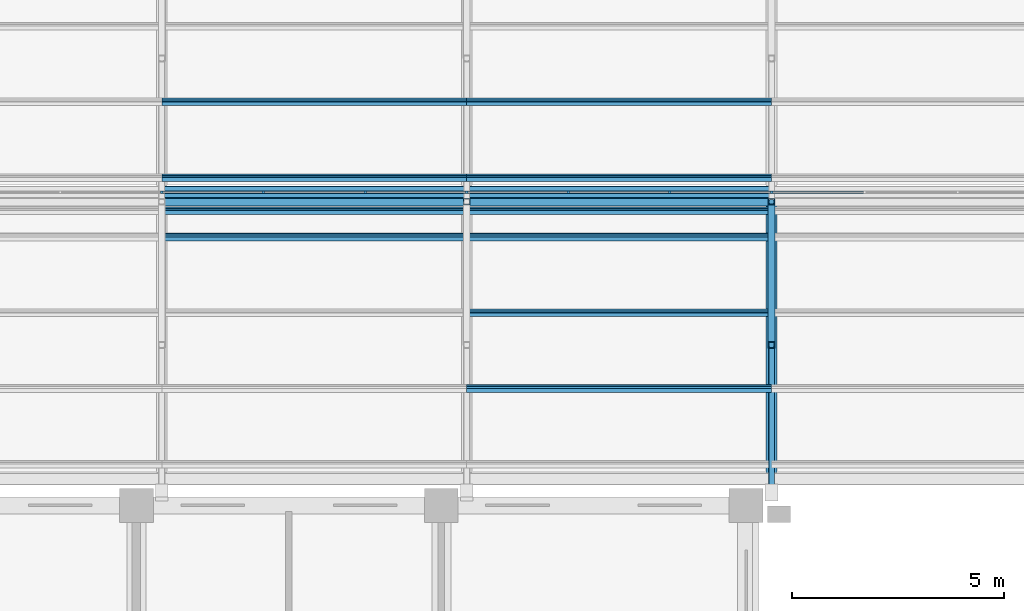
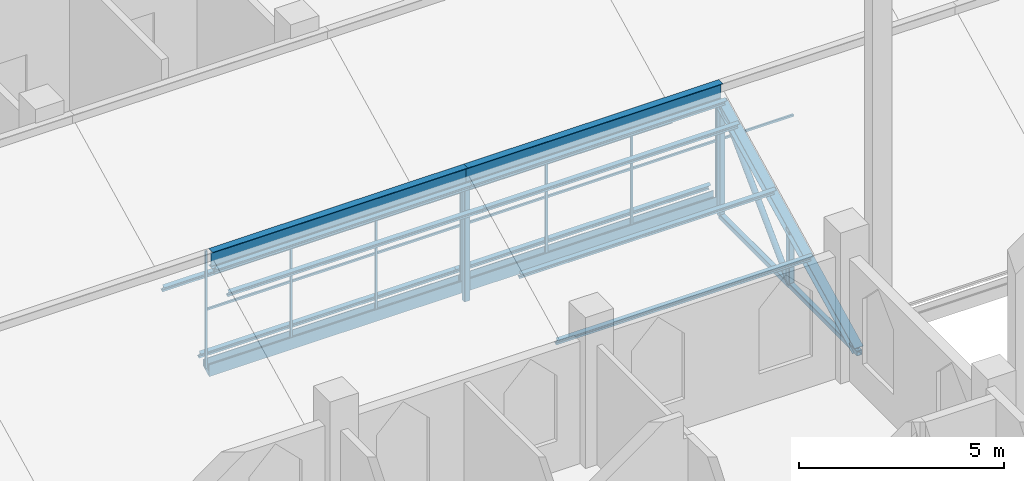
# One storey, part 6 of 29: 34 members, 3 elements without a shape of their own.
"""IFC4 building model written with IfcOpenShell, lengths in metres."""

from ifc_helpers import new_model, si_unit, direction, frame, origin, origin_2d, place, context, subcontext, project, spatial, polyline, rectangle, hollow_rectangle, hollow_circle, i_section, outline, extrude, material, material_profile, profile_set, type_object, element, aggregate, save


model = new_model("IFC4")

# Units and contexts
model_context = context("Model", 3, precision=1e-05, world=origin(), true_north=direction((0.0, 1.0)))
body_context = subcontext(model_context, "Body", "Model", "MODEL_VIEW")
ifc_project = project(units=[si_unit("LENGTHUNIT", "METRE"), si_unit("AREAUNIT", "SQUARE_METRE"), si_unit("VOLUMEUNIT", "CUBIC_METRE"), si_unit("PLANEANGLEUNIT", "RADIAN"), si_unit("MASSUNIT", "GRAM", prefix="KILO")], contexts=[model_context])

# Site, building, storey
site_placement = place(None, origin())
site = spatial("IfcSite", under=ifc_project, at=site_placement, CompositionType="ELEMENT")
building_placement = place(site_placement, origin())
building = spatial("IfcBuilding", under=site, at=building_placement, Name="Silangan Lancet Faculty of Sciences", CompositionType="ELEMENT")
storey_placement = place(building_placement, frame((0.0, 0.0, 40.800048828125)))
storey = spatial("IfcBuildingStorey", under=building, at=storey_placement, Name="L08", CompositionType="ELEMENT", Elevation=40.800048828125)

# Members
ifc_material_1 = material(Name="Steel SS400", Category="steel")
ifc_material_profile_1 = material_profile(ifc_material_1, i_section(OverallWidth=0.199951171875, OverallDepth=0.5, WebThickness=0.010009765625, FlangeThickness=0.01611328125, FilletRadius=0.02001953125, at=origin_2d()), Name="H 500x200x10x16")
ifc_profile_set_1 = profile_set([ifc_material_profile_1], Name="Steel SS400")
member_type_1 = type_object("IfcMemberType", Name="Exposed ridge beam H 500x200x10x16", PredefinedType="MEMBER", material=ifc_profile_set_1)
for number, where, z_axis, x_axis, name in (
    (1, (15.0, 28.77001953125, 3.836669921875), (1.0, 0.0, 0.0), (0.0, 1.0, 0.0), "Exposed ridge beam ATRIUM-1-3"),
    (2, (22.199951171875, 28.77001953125, 3.836669921875), (1.0, 0.0, 0.0), (0.0, 1.0, 0.0), "Exposed ridge beam ATRIUM-1-4"),
):
    element("IfcMember", number, at=place(storey_placement, frame(where, z_axis=z_axis, x_axis=x_axis)), inside=storey, type_object=member_type_1, Name=name, PredefinedType="MEMBER", context=body_context, shape_type="SweptSolid", body=[
        extrude(i_section(OverallWidth=0.199951171875, OverallDepth=0.5, WebThickness=0.010009765625, FlangeThickness=0.01611328125, FilletRadius=0.02001953125, at=origin_2d()), origin(), (0.0, 0.0, 1.0), 7.199951171875),
    ])

# Curtain wall, members
ifc_material_2 = material(Name="Aluminium and laminated glass", Category="aluminium")
curtain_wall_type = type_object("IfcCurtainWallType", Name="North light glazing system", PredefinedType="NOTDEFINED", material=ifc_material_2)
curtain_wall_1_placement = place(storey_placement, origin())
curtain_wall_1 = element("IfcCurtainWall", 3, at=curtain_wall_1_placement, inside=storey, type_object=curtain_wall_type, Name="North light glazing ATRIUM-1-3", PredefinedType="NOTDEFINED")
ifc_material_3 = material(Name="Aluminium 6063-T6", Category="aluminium")
ifc_material_profile_2 = material_profile(ifc_material_3, rectangle(XDim=0.06005859375, YDim=0.050048828125, at=origin_2d()), Name="AL 60x50")
ifc_profile_set_2 = profile_set([ifc_material_profile_2], Name="Aluminium 6063-T6")
member_type_2 = type_object("IfcMemberType", Name="North light mullion 60x50", PredefinedType="MULLION", material=ifc_profile_set_2)
member_1_placement = place(storey_placement, frame((15.0, 28.9951171875, 0.442138671875), z_axis=(0.0, 0.0, 1.0), x_axis=(1.0, 0.0, 0.0)))
member_1 = element("IfcMember", 4, at=member_1_placement, type_object=member_type_2, Name="North light mullion ATRIUM-1-3 1", PredefinedType="MULLION", context=body_context, shape_type="SweptSolid", body=[
    extrude(rectangle(XDim=0.06005859375, YDim=0.050048828125, at=origin_2d()), origin(), (0.0, 0.0, 1.0), 3.502197265625),
])
member_2_placement = place(storey_placement, frame((17.39990234375, 28.9951171875, 0.442138671875), z_axis=(0.0, 0.0, 1.0), x_axis=(1.0, 0.0, 0.0)))
member_2 = element("IfcMember", 5, at=member_2_placement, type_object=member_type_2, Name="North light mullion ATRIUM-1-3 2", PredefinedType="MULLION", context=body_context, shape_type="SweptSolid", body=[
    extrude(rectangle(XDim=0.06005859375, YDim=0.050048828125, at=origin_2d()), origin(), (0.0, 0.0, 1.0), 3.502197265625),
])
member_3_placement = place(storey_placement, frame((19.800048828125, 28.9951171875, 0.442138671875), z_axis=(0.0, 0.0, 1.0), x_axis=(1.0, 0.0, 0.0)))
member_3 = element("IfcMember", 6, at=member_3_placement, type_object=member_type_2, Name="North light mullion ATRIUM-1-3 3", PredefinedType="MULLION", context=body_context, shape_type="SweptSolid", body=[
    extrude(rectangle(XDim=0.06005859375, YDim=0.050048828125, at=origin_2d()), origin(), (0.0, 0.0, 1.0), 3.502197265625),
])

curtain_wall_2_placement = place(storey_placement, origin())
curtain_wall_2 = element("IfcCurtainWall", 7, at=curtain_wall_2_placement, inside=storey, type_object=curtain_wall_type, Name="North light glazing ATRIUM-1-4", PredefinedType="NOTDEFINED")
member_4_placement = place(storey_placement, frame((22.199951171875, 28.9951171875, 0.442138671875), z_axis=(0.0, 0.0, 1.0), x_axis=(1.0, 0.0, 0.0)))
member_4 = element("IfcMember", 8, at=member_4_placement, type_object=member_type_2, Name="North light mullion ATRIUM-1-4 1", PredefinedType="MULLION", context=body_context, shape_type="SweptSolid", body=[
    extrude(rectangle(XDim=0.06005859375, YDim=0.050048828125, at=origin_2d()), origin(), (0.0, 0.0, 1.0), 3.502197265625),
])
member_5_placement = place(storey_placement, frame((24.60009765625, 28.9951171875, 0.442138671875), z_axis=(0.0, 0.0, 1.0), x_axis=(1.0, 0.0, 0.0)))
member_5 = element("IfcMember", 9, at=member_5_placement, type_object=member_type_2, Name="North light mullion ATRIUM-1-4 2", PredefinedType="MULLION", context=body_context, shape_type="SweptSolid", body=[
    extrude(rectangle(XDim=0.06005859375, YDim=0.050048828125, at=origin_2d()), origin(), (0.0, 0.0, 1.0), 3.502197265625),
])
member_6_placement = place(storey_placement, frame((27.0, 28.9951171875, 0.442138671875), z_axis=(0.0, 0.0, 1.0), x_axis=(1.0, 0.0, 0.0)))
member_6 = element("IfcMember", 10, at=member_6_placement, type_object=member_type_2, Name="North light mullion ATRIUM-1-4 3", PredefinedType="MULLION", context=body_context, shape_type="SweptSolid", body=[
    extrude(rectangle(XDim=0.06005859375, YDim=0.050048828125, at=origin_2d()), origin(), (0.0, 0.0, 1.0), 3.502197265625),
])

# Curtain wall, member
curtain_wall_3_placement = place(storey_placement, origin())
curtain_wall_3 = element("IfcCurtainWall", 11, at=curtain_wall_3_placement, inside=storey, type_object=curtain_wall_type, Name="North light glazing ATRIUM-1-5", PredefinedType="NOTDEFINED")
member_7_placement = place(storey_placement, frame((29.39990234375, 28.9951171875, 0.442138671875), z_axis=(0.0, 0.0, 1.0), x_axis=(1.0, 0.0, 0.0)))
member_7 = element("IfcMember", 12, at=member_7_placement, type_object=member_type_2, Name="North light mullion ATRIUM-1-5 1", PredefinedType="MULLION", context=body_context, shape_type="SweptSolid", body=[
    extrude(rectangle(XDim=0.06005859375, YDim=0.050048828125, at=origin_2d()), origin(), (0.0, 0.0, 1.0), 3.502197265625),
])

# Member
ifc_material_4 = material(Name="Aluminium 6063-T6", Category="aluminium")
ifc_material_profile_3 = material_profile(ifc_material_4, rectangle(XDim=0.050048828125, YDim=0.06005859375, at=origin_2d()), Name="AL 50x60")
ifc_profile_set_3 = profile_set([ifc_material_profile_3], Name="Aluminium 6063-T6")
member_type_3 = type_object("IfcMemberType", Name="North light transom 50x60", PredefinedType="USERDEFINED", material=ifc_profile_set_3)
member_8_placement = place(storey_placement, frame((15.030029296875, 28.9951171875, 2.193359375), z_axis=(1.0, 0.0, 0.0), x_axis=(0.0, 1.0, 0.0)))
member_8 = element("IfcMember", 13, at=member_8_placement, type_object=member_type_3, Name="North light transom ATRIUM-1-3 1", ObjectType="TRANSOM", PredefinedType="USERDEFINED", context=body_context, shape_type="SweptSolid", body=[
    extrude(rectangle(XDim=0.050048828125, YDim=0.06005859375, at=origin_2d()), origin(), (0.0, 0.0, 1.0), 2.340087890625),
])

member_9_placement = place(storey_placement, frame((17.429931640625, 28.9951171875, 2.193359375), z_axis=(1.0, 0.0, 0.0), x_axis=(0.0, 1.0, 0.0)))
member_9 = element("IfcMember", 14, at=member_9_placement, type_object=member_type_3, Name="North light transom ATRIUM-1-3 2", ObjectType="TRANSOM", PredefinedType="USERDEFINED", context=body_context, shape_type="SweptSolid", body=[
    extrude(rectangle(XDim=0.050048828125, YDim=0.06005859375, at=origin_2d()), origin(), (0.0, 0.0, 1.0), 2.340087890625),
])

member_10_placement = place(storey_placement, frame((19.830078125, 28.9951171875, 2.193359375), z_axis=(1.0, 0.0, 0.0), x_axis=(0.0, 1.0, 0.0)))
member_10 = element("IfcMember", 15, at=member_10_placement, type_object=member_type_3, Name="North light transom ATRIUM-1-3 3", ObjectType="TRANSOM", PredefinedType="USERDEFINED", context=body_context, shape_type="SweptSolid", body=[
    extrude(rectangle(XDim=0.050048828125, YDim=0.06005859375, at=origin_2d()), origin(), (0.0, 0.0, 1.0), 2.33984375),
])

aggregate(curtain_wall_1, [member_1, member_2, member_3, member_8, member_9, member_10])

member_11_placement = place(storey_placement, frame((22.22998046875, 28.9951171875, 2.193359375), z_axis=(1.0, 0.0, 0.0), x_axis=(0.0, 1.0, 0.0)))
member_11 = element("IfcMember", 16, at=member_11_placement, type_object=member_type_3, Name="North light transom ATRIUM-1-4 1", ObjectType="TRANSOM", PredefinedType="USERDEFINED", context=body_context, shape_type="SweptSolid", body=[
    extrude(rectangle(XDim=0.050048828125, YDim=0.06005859375, at=origin_2d()), origin(), (0.0, 0.0, 1.0), 2.340087890625),
])

member_12_placement = place(storey_placement, frame((24.6298828125, 28.9951171875, 2.193359375), z_axis=(1.0, 0.0, 0.0), x_axis=(0.0, 1.0, 0.0)))
member_12 = element("IfcMember", 17, at=member_12_placement, type_object=member_type_3, Name="North light transom ATRIUM-1-4 2", ObjectType="TRANSOM", PredefinedType="USERDEFINED", context=body_context, shape_type="SweptSolid", body=[
    extrude(rectangle(XDim=0.050048828125, YDim=0.06005859375, at=origin_2d()), origin(), (0.0, 0.0, 1.0), 2.340087890625),
])

member_13_placement = place(storey_placement, frame((27.030029296875, 28.9951171875, 2.193359375), z_axis=(1.0, 0.0, 0.0), x_axis=(0.0, 1.0, 0.0)))
member_13 = element("IfcMember", 18, at=member_13_placement, type_object=member_type_3, Name="North light transom ATRIUM-1-4 3", ObjectType="TRANSOM", PredefinedType="USERDEFINED", context=body_context, shape_type="SweptSolid", body=[
    extrude(rectangle(XDim=0.050048828125, YDim=0.06005859375, at=origin_2d()), origin(), (0.0, 0.0, 1.0), 2.340087890625),
])

aggregate(curtain_wall_2, [member_4, member_5, member_6, member_11, member_12, member_13])

member_14_placement = place(storey_placement, frame((29.429931640625, 28.9951171875, 2.193359375), z_axis=(1.0, 0.0, 0.0), x_axis=(0.0, 1.0, 0.0)))
member_14 = element("IfcMember", 19, at=member_14_placement, type_object=member_type_3, Name="North light transom ATRIUM-1-5 1", ObjectType="TRANSOM", PredefinedType="USERDEFINED", context=body_context, shape_type="SweptSolid", body=[
    extrude(rectangle(XDim=0.050048828125, YDim=0.06005859375, at=origin_2d()), origin(), (0.0, 0.0, 1.0), 2.14013671875),
])

aggregate(curtain_wall_3, [member_7, member_14])

# Members
ifc_material_5 = material(Name="Steel SS400", Category="steel")
ifc_material_profile_4 = material_profile(ifc_material_5, i_section(OverallWidth=0.10009765625, OverallDepth=0.199951171875, WebThickness=0.005615234375, FlangeThickness=0.008056640625, FilletRadius=0.008056640625, at=origin_2d()), Name="H 200x100x5.5x8")
ifc_profile_set_4 = profile_set([ifc_material_profile_4], Name="Steel SS400")
member_type_4 = type_object("IfcMemberType", Name="Sheeting purlin H 200x100x5.5x8", PredefinedType="PURLIN", material=ifc_profile_set_4)
for number, where, z_axis, x_axis, name in (
    (20, (15.0, 27.936767578125, 3.31494140625), (1.0, 0.0, 0.0), (0.0, 0.894427192382, 0.447213592736), "Sheeting purlin ATRIUM-1-3 4"),
    (21, (15.0, 28.56201171875, 3.62744140625), (1.0, 0.0, 0.0), (0.0, 0.894427192382, 0.447213592736), "Sheeting purlin ATRIUM-1-3 5"),
    (22, (15.0, 29.340087890625, 0.631591796875), (1.0, 0.0, 0.0), (0.0, 0.894427192382, 0.447213592736), "Sheeting purlin ATRIUM-2-3 1"),
    (23, (15.0, 31.129150390625, 1.526123046875), (1.0, 0.0, 0.0), (0.0, 0.894427192382, 0.447213592736), "Sheeting purlin ATRIUM-2-3 2"),
    (24, (22.199951171875, 24.359130859375, 1.526123046875), (1.0, 0.0, 0.0), (0.0, 0.894427192382, 0.447213592736), "Sheeting purlin ATRIUM-1-4 2"),
    (25, (22.199951171875, 26.14794921875, 2.42041015625), (1.0, 0.0, 0.0), (0.0, 0.894427192382, 0.447213592736), "Sheeting purlin ATRIUM-1-4 3"),
    (26, (22.199951171875, 27.936767578125, 3.31494140625), (1.0, 0.0, 0.0), (0.0, 0.894427192382, 0.447213592736), "Sheeting purlin ATRIUM-1-4 4"),
    (27, (22.199951171875, 28.56201171875, 3.62744140625), (1.0, 0.0, 0.0), (0.0, 0.894427192382, 0.447213592736), "Sheeting purlin ATRIUM-1-4 5"),
    (28, (22.199951171875, 29.340087890625, 0.631591796875), (1.0, 0.0, 0.0), (0.0, 0.894427192382, 0.447213592736), "Sheeting purlin ATRIUM-2-4 1"),
    (29, (22.199951171875, 31.129150390625, 1.526123046875), (1.0, 0.0, 0.0), (0.0, 0.894427192382, 0.447213592736), "Sheeting purlin ATRIUM-2-4 2"),
):
    element("IfcMember", number, at=place(storey_placement, frame(where, z_axis=z_axis, x_axis=x_axis)), inside=storey, type_object=member_type_4, Name=name, PredefinedType="PURLIN", context=body_context, shape_type="SweptSolid", body=[
        extrude(i_section(OverallWidth=0.10009765625, OverallDepth=0.199951171875, WebThickness=0.005615234375, FlangeThickness=0.008056640625, FilletRadius=0.008056640625, at=origin_2d()), origin(), (0.0, 0.0, 1.0), 7.199951171875),
    ])
ifc_material_6 = material(Name="Steel STKR400", Category="steel")
ifc_material_profile_5 = material_profile(ifc_material_6, hollow_rectangle(XDim=0.14990234375, YDim=0.14990234375, WallThickness=0.009033203125, InnerFilletRadius=0.009033203125, OuterFilletRadius=0.01806640625, at=origin_2d()), Name="SHS 150x150x9.0")
ifc_profile_set_5 = profile_set([ifc_material_profile_5], Name="Steel STKR400")
member_type_5 = type_object("IfcMemberType", Name="Truss bottom chord SHS 150x150x9.0", PredefinedType="CHORD", material=ifc_profile_set_5)
member_15_placement = place(storey_placement, frame((29.39990234375, 22.0, 0.094970703125), z_axis=(0.0, 1.0, 0.0), x_axis=(-1.0, 0.0, 0.0)))
element("IfcMember", 30, at=member_15_placement, inside=storey, type_object=member_type_5, Name="Truss 5 bottom chord 1", PredefinedType="CHORD", context=body_context, shape_type="SweptSolid", body=[
    extrude(hollow_rectangle(XDim=0.14990234375, YDim=0.14990234375, WallThickness=0.009033203125, InnerFilletRadius=0.009033203125, OuterFilletRadius=0.01806640625, at=origin_2d()), origin(), (0.0, 0.0, 1.0), 6.77001953125),
])
ifc_material_7 = material(Name="Steel STK400", Category="steel")
ifc_material_profile_6 = material_profile(ifc_material_7, hollow_circle(Radius=0.08251953125, WallThickness=0.0048828125, at=origin_2d()), Name="CHS 165.2x5.0")
ifc_profile_set_6 = profile_set([ifc_material_profile_6], Name="Steel STK400")
member_type_6 = type_object("IfcMemberType", Name="Truss diagonal CHS 165.2x5.0", PredefinedType="BRACE", material=ifc_profile_set_6)
member_16_placement = place(storey_placement, frame((29.39990234375, 25.385009765625, 0.094970703125), z_axis=(0.0, 0.707106781187, 0.707106781187), x_axis=(-1.0, 0.0, 0.0)))
element("IfcMember", 31, at=member_16_placement, inside=storey, type_object=member_type_6, Name="Truss 5 diagonal 1", PredefinedType="BRACE", context=body_context, shape_type="SweptSolid", body=[
    extrude(hollow_circle(Radius=0.08251953125, WallThickness=0.0048828125, at=origin_2d()), origin(), (0.0, 0.0, 1.0), 4.787109375),
])
ifc_material_8 = material(Name="Steel STKR400", Category="steel")
ifc_material_profile_7 = material_profile(ifc_material_8, hollow_rectangle(XDim=0.14990234375, YDim=0.14990234375, WallThickness=0.006103515625, InnerFilletRadius=0.006103515625, OuterFilletRadius=0.011962890625, at=origin_2d()), Name="SHS 150x150x6.0")
ifc_profile_set_7 = profile_set([ifc_material_profile_7], Name="Steel STKR400")
member_type_7 = type_object("IfcMemberType", Name="Truss post SHS 150x150x6.0", PredefinedType="POST", material=ifc_profile_set_7)
for number, where, z_axis, x_axis, name in (
    (32, (22.199951171875, 28.77001953125, 0.094970703125), (0.0, 0.0, 1.0), (1.0, 0.0, 0.0), "Truss 4 riser post 1"),
    (33, (29.39990234375, 28.77001953125, 0.094970703125), (0.0, 0.0, 1.0), (1.0, 0.0, 0.0), "Truss 5 riser post 1"),
):
    element("IfcMember", number, at=place(storey_placement, frame(where, z_axis=z_axis, x_axis=x_axis)), inside=storey, type_object=member_type_7, Name=name, PredefinedType="POST", context=body_context, shape_type="SweptSolid", body=[
        extrude(hollow_rectangle(XDim=0.14990234375, YDim=0.14990234375, WallThickness=0.006103515625, InnerFilletRadius=0.006103515625, OuterFilletRadius=0.011962890625, at=origin_2d()), origin(), (0.0, 0.0, 1.0), 3.385009765625),
    ])
member_17_placement = place(storey_placement, frame((29.39990234375, 25.385009765625, 0.094970703125), z_axis=(0.0, 0.0, 1.0), x_axis=(1.0, 0.0, 0.0)))
element("IfcMember", 34, at=member_17_placement, inside=storey, type_object=member_type_7, Name="Truss 5 mid post 1", PredefinedType="POST", context=body_context, shape_type="SweptSolid", body=[
    extrude(hollow_rectangle(XDim=0.14990234375, YDim=0.14990234375, WallThickness=0.006103515625, InnerFilletRadius=0.006103515625, OuterFilletRadius=0.011962890625, at=origin_2d()), origin(), (0.0, 0.0, 1.0), 1.6923828125),
])
ifc_material_9 = material(Name="Steel SS400", Category="steel")
ifc_material_profile_8 = material_profile(ifc_material_9, i_section(OverallWidth=0.25, OverallDepth=0.25, WebThickness=0.009033203125, FlangeThickness=0.013916015625, FilletRadius=0.01611328125, at=origin_2d()), Name="H 250x250x9x14")
ifc_profile_set_8 = profile_set([ifc_material_profile_8], Name="Steel SS400")
member_type_8 = type_object("IfcMemberType", Name="Truss top chord H 250x250x9x14", PredefinedType="CHORD", material=ifc_profile_set_8)
member_18_placement = place(storey_placement, frame((29.39990234375, 22.08056640625, 0.13525390625), z_axis=(0.0, 0.894427191, 0.4472135955), x_axis=(-1.0, 0.0, 0.0)))
element("IfcMember", 35, at=member_18_placement, inside=storey, type_object=member_type_8, Name="Truss 5 top chord 1", PredefinedType="CHORD", context=body_context, shape_type="SweptSolid", body=[
    extrude(i_section(OverallWidth=0.25, OverallDepth=0.25, WebThickness=0.009033203125, FlangeThickness=0.013916015625, FilletRadius=0.01611328125, at=origin_2d()), origin(), (0.0, 0.0, 1.0), 7.47900390625),
])
ifc_material_10 = material(Name="Stainless steel", Category="steel")
ifc_material_profile_9 = material_profile(ifc_material_10, outline(polyline([(-0.14990234375, 0.0), (0.14990234375, 0.14990234375), (0.14990234375, 0.35009765625), (0.1298828125, 0.35009765625), (0.1298828125, 0.169921875), (-0.1298828125, 0.169921875), (-0.1298828125, 0.35009765625), (-0.14990234375, 0.35009765625), (-0.14990234375, 0.0)])), Name="valley gutter")
ifc_profile_set_9 = profile_set([ifc_material_profile_9], Name="Stainless steel")
member_type_9 = type_object("IfcMemberType", Name="Valley gutter 300 wide", PredefinedType="USERDEFINED", material=ifc_profile_set_9)
for number, where, z_axis, x_axis, name in (
    (36, (15.0, 28.9951171875, 0.272216796875), (1.0, 0.0, 0.0), (0.0, 1.0, 0.0), "Valley gutter ATRIUM-2-3"),
    (37, (22.199951171875, 28.9951171875, 0.272216796875), (1.0, 0.0, 0.0), (0.0, 1.0, 0.0), "Valley gutter ATRIUM-2-4"),
):
    element("IfcMember", number, at=place(storey_placement, frame(where, z_axis=z_axis, x_axis=x_axis)), inside=storey, type_object=member_type_9, Name=name, ObjectType="GUTTER", PredefinedType="USERDEFINED", context=body_context, shape_type="SweptSolid", body=[
        extrude(outline(polyline([(-0.14990234375, 0.0), (0.14990234375, 0.14990234375), (0.14990234375, 0.35009765625), (0.1298828125, 0.35009765625), (0.1298828125, 0.169921875), (-0.1298828125, 0.169921875), (-0.1298828125, 0.35009765625), (-0.14990234375, 0.35009765625), (-0.14990234375, 0.0)])), origin(), (0.0, 0.0, 1.0), 7.199951171875),
    ])

save(model, "model.ifc")
